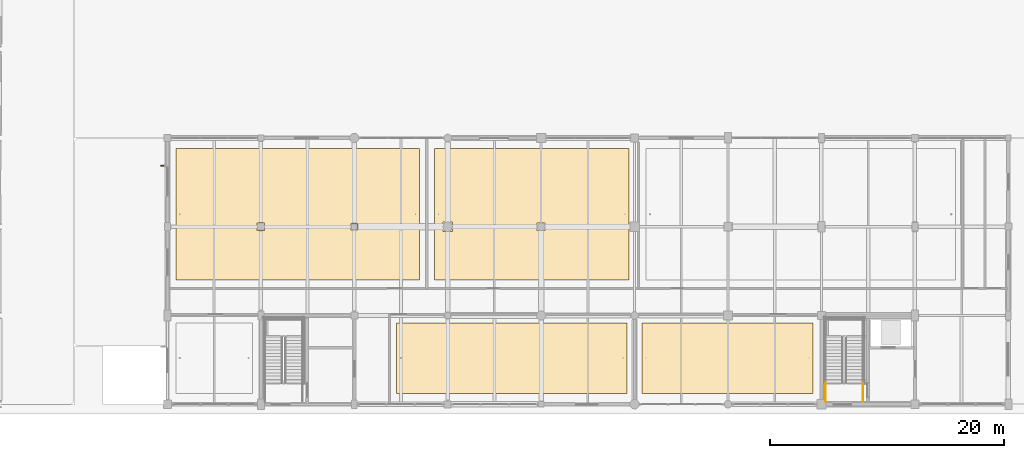
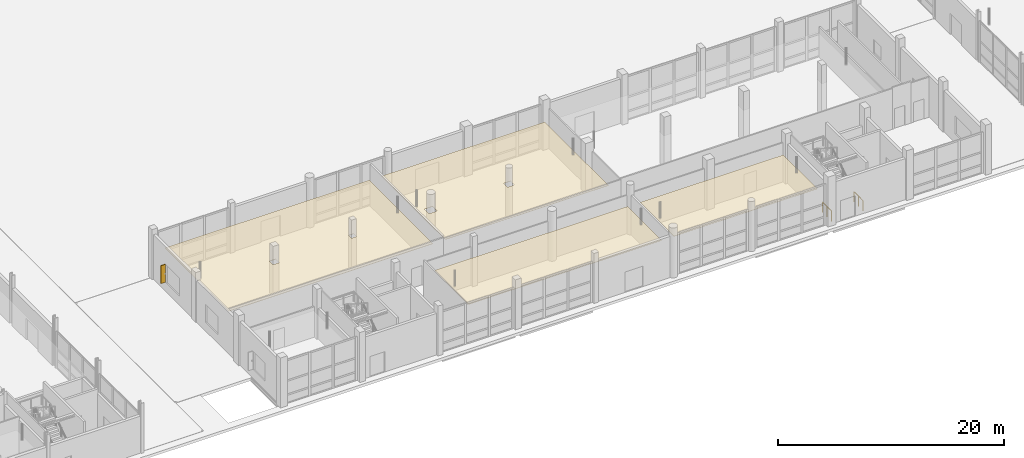
# One storey, part 115 of 126: 4 coverings, 2 railings, 1 shading device.
"""IFC4 building model written with IfcOpenShell, lengths in metres."""

from ifc_helpers import new_model, si_unit, direction, frame, origin, origin_2d, place, context, subcontext, project, spatial, polyline, rectangle, circle, outline, extrude, material, layer, layer_set, type_object, element, save


model = new_model("IFC4")

# Units and contexts
model_context = context("Model", 3, precision=1e-05, world=origin(), true_north=direction((0.0, 1.0)))
body_context = subcontext(model_context, "Body", "Model", "MODEL_VIEW")
ifc_project = project(units=[si_unit("LENGTHUNIT", "METRE"), si_unit("AREAUNIT", "SQUARE_METRE"), si_unit("VOLUMEUNIT", "CUBIC_METRE"), si_unit("PLANEANGLEUNIT", "RADIAN"), si_unit("MASSUNIT", "GRAM", prefix="KILO")], contexts=[model_context])

# Site, building, storey
site_placement = place(None, origin())
site = spatial("IfcSite", under=ifc_project, at=site_placement, CompositionType="ELEMENT")
building_placement = place(site_placement, origin())
building = spatial("IfcBuilding", under=site, at=building_placement, Name="Khelvaren Railside Concert Hall", CompositionType="ELEMENT")
storey_placement = place(building_placement, origin())
storey = spatial("IfcBuildingStorey", under=building, at=storey_placement, Name="L00", CompositionType="ELEMENT", Elevation=0.0)

# Coverings
ifc_material_1 = material(Name="Mineral-wool acoustic baffle ceiling", Category="gypsum")
ifc_layer_1 = layer(ifc_material_1, 0.0400390625)
ifc_layer_set_1 = layer_set([ifc_layer_1], Name="Mineral-wool acoustic baffle ceiling")
covering_type_1 = type_object("IfcCoveringType", Name="CLG20", PredefinedType="CEILING", material=ifc_layer_set_1)
covering_1_placement = place(storey_placement, frame((0.0, 0.0, 3.409912109375)))
element("IfcCovering", 1, at=covering_1_placement, inside=storey, type_object=covering_type_1, Name="Suspended Acoustic Ceiling Central Ticket and Box Office Hall", PredefinedType="CEILING", context=body_context, shape_type="SweptSolid", body=[
    extrude(outline(polyline([(64.7099609375, 10.6298828125), (85.5859375, 10.6298828125), (85.5859375, 21.919921875), (64.7099609375, 21.919921875), (64.7099609375, 10.6298828125)]), holes=[polyline([(71.68505859375, 14.885009765625), (72.31494140625, 14.885009765625), (72.31494140625, 15.514892578125), (71.68505859375, 15.514892578125), (71.68505859375, 14.885009765625)]), polyline([(79.735107421875, 14.93505859375), (80.264892578125, 14.93505859375), (80.264892578125, 15.465087890625), (79.735107421875, 15.465087890625), (79.735107421875, 14.93505859375)])]), origin(), (0.0, 0.0, 1.0), 0.0400390625),
])
covering_2_placement = place(storey_placement, frame((0.0, 0.0, 3.409912109375)))
element("IfcCovering", 2, at=covering_2_placement, inside=storey, type_object=covering_type_1, Name="Suspended Acoustic Ceiling Curatorial Cataloguing Office L00", PredefinedType="CEILING", context=body_context, shape_type="SweptSolid", body=[
    extrude(outline(polyline([(83.6298828125, 0.929931640625), (103.3701171875, 0.929931640625), (103.3701171875, 6.969970703125), (83.6298828125, 6.969970703125), (83.6298828125, 0.929931640625)])), origin(), (0.0, 0.0, 1.0), 0.0400390625),
])
ifc_material_2 = material(Name="Micro-perforated timber acoustic ceiling", Category="wood")
ifc_layer_2 = layer(ifc_material_2, 0.030029296875)
ifc_layer_set_2 = layer_set([ifc_layer_2], Name="Micro-perforated timber acoustic ceiling")
covering_type_2 = type_object("IfcCoveringType", Name="CLG77", PredefinedType="CEILING", material=ifc_layer_set_2)
covering_3_placement = place(storey_placement, frame((0.0, 0.0, 3.419921875)))
element("IfcCovering", 3, at=covering_3_placement, inside=storey, type_object=covering_type_2, Name="Suspended Acoustic Ceiling Musical Instrument and Sheet-Music Bookshop", PredefinedType="CEILING", context=body_context, shape_type="SweptSolid", body=[
    extrude(outline(polyline([(86.845947265625, 10.6298828125), (103.534912109375, 10.6298828125), (103.534912109375, 21.919921875), (86.845947265625, 21.919921875), (86.845947265625, 10.6298828125)]), holes=[polyline([(87.5849609375, 14.784912109375), (88.4150390625, 14.784912109375), (88.4150390625, 15.614990234375), (87.5849609375, 15.614990234375), (87.5849609375, 14.784912109375)]), polyline([(95.659912109375, 14.860107421875), (96.340087890625, 14.860107421875), (96.340087890625, 15.5400390625), (95.659912109375, 15.5400390625), (95.659912109375, 14.860107421875)])]), origin(), (0.0, 0.0, 1.0), 0.030029296875),
])
covering_4_placement = place(storey_placement, frame((0.0, 0.0, 3.419921875)))
element("IfcCovering", 4, at=covering_4_placement, inside=storey, type_object=covering_type_2, Name="Suspended Acoustic Ceiling Patron Membership Suite L00", PredefinedType="CEILING", context=body_context, shape_type="SweptSolid", body=[
    extrude(outline(polyline([(104.6298828125, 0.929931640625), (119.2900390625, 0.929931640625), (119.2900390625, 6.969970703125), (104.6298828125, 6.969970703125), (104.6298828125, 0.929931640625)])), origin(), (0.0, 0.0, 1.0), 0.030029296875),
])

# Railings
ifc_material_3 = material(Name="Painted architectural steel", Category="steel")
railing_type = type_object("IfcRailingType", Name="GRD86", PredefinedType="GUARDRAIL", material=ifc_material_3)
for number, where, name in (
    (5, (123.570068359375, 0.239990234375, 0.0), "L00 ST-06 stair guard 8"),
    (6, (120.35009765625, 0.239990234375, 0.0), "L00 ST-06 stair guard 9"),
):
    element("IfcRailing", number, at=place(storey_placement, frame(where)), inside=storey, type_object=railing_type, Name=name, PredefinedType="GUARDRAIL", context=body_context, shape_type="SweptSolid", body=[
        extrude(circle(Radius=0.02392578125, at=origin_2d()), frame((0.0, 0.0, 1.076171875), z_axis=(0.0, 1.0, 0.0), x_axis=(-1.0, 0.0, 0.0)), (0.0, 0.0, 1.0), 1.60009765625),
        extrude(circle(Radius=0.02099609375, at=origin_2d()), origin(), (0.0, 0.0, 1.0), 1.052001953125),
        extrude(circle(Radius=0.02099609375, at=origin_2d()), frame((0.0, 0.800048828125, 0.0)), (0.0, 0.0, 1.0), 1.052001953125),
        extrude(circle(Radius=0.02099609375, at=origin_2d()), frame((0.0, 1.60009765625, 0.0)), (0.0, 0.0, 1.0), 1.052001953125),
    ])

# Shading device
ifc_material_4 = material(Name="Anodised bronze aluminium 6063-T6", Category="aluminium")
shading_device_type = type_object("IfcShadingDeviceType", Name="SFN18", PredefinedType="USERDEFINED", material=ifc_material_4)
shading_device_placement = place(storey_placement, frame((63.635009765625, 20.41748046875, 0.9501953125), z_axis=(0.0, 0.0, 1.0), x_axis=(0.0, 1.0, 0.0)))
element("IfcShadingDevice", 7, at=shading_device_placement, inside=storey, type_object=shading_device_type, Name="Bronze Solar Shading Fin EW-V3-L00-W-15", ObjectType="SOLAR FIN", PredefinedType="USERDEFINED", context=body_context, shape_type="SweptSolid", body=[
    extrude(rectangle(XDim=0.080078125, YDim=0.449951171875, at=origin_2d()), origin(), (0.0, 0.0, 1.0), 1.949951171875),
])

save(model, "model.ifc")
